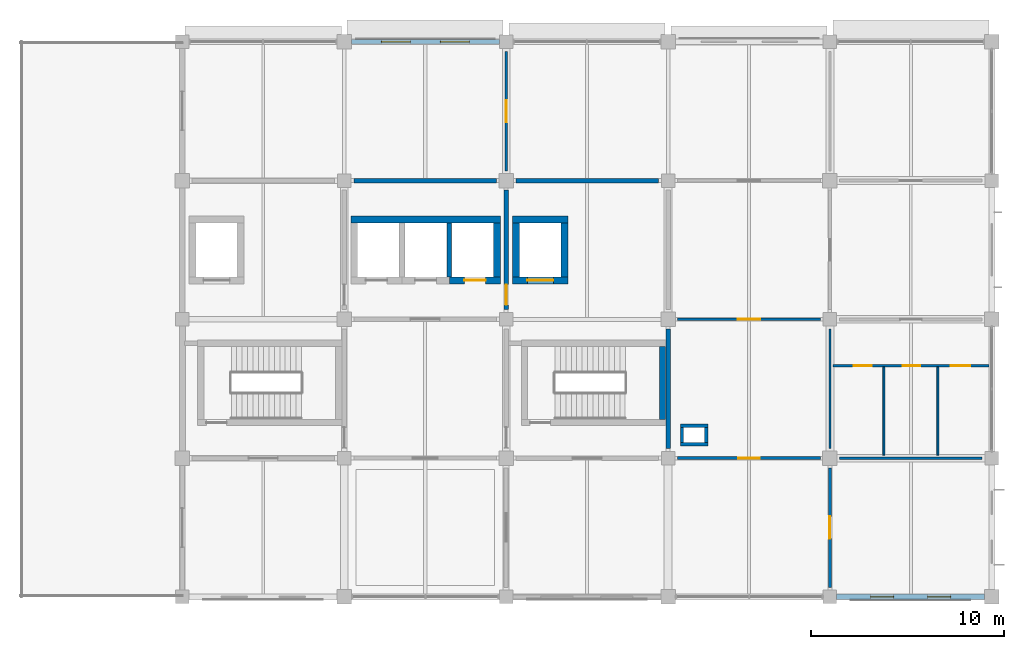
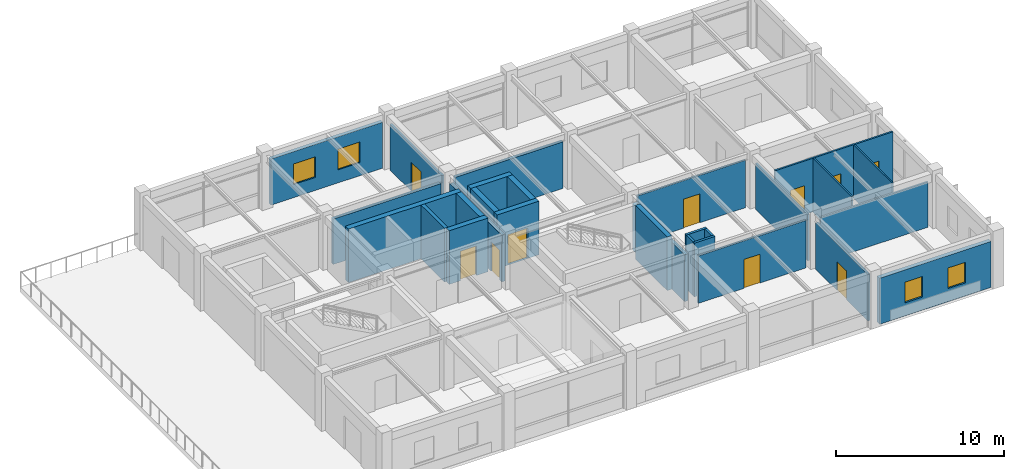
# One storey, part 7 of 10: 28 walls, 10 doors, 4 windows, 14 openings.
"""IFC4 building model written with IfcOpenShell, lengths in metres."""

from ifc_helpers import new_model, si_unit, derived_unit, direction, frame, frame_2d, origin, place, context, subcontext, project, spatial, rectangle, extrude, material, layer, layer_set, type_object, element, fill, save


model = new_model("IFC4")

# Units and contexts
model_context = context("Model", 3, precision=1e-05, world=origin(), true_north=direction((0.0, 1.0)))
body_context = subcontext(model_context, "Body", "Model", "MODEL_VIEW")
ifc_project = project(units=[si_unit("LENGTHUNIT", "METRE"), si_unit("AREAUNIT", "SQUARE_METRE"), si_unit("VOLUMEUNIT", "CUBIC_METRE"), si_unit("PLANEANGLEUNIT", "RADIAN"), si_unit("MASSUNIT", "GRAM", prefix="KILO"), derived_unit("THERMALTRANSMITTANCEUNIT", [(si_unit("MASSUNIT", "GRAM", prefix="KILO"), 1), (si_unit("TIMEUNIT", "SECOND"), -3), (si_unit("THERMODYNAMICTEMPERATUREUNIT", "KELVIN"), -1)])], contexts=[model_context])

# Site, building, storey
site_placement = place(None, origin())
site = spatial("IfcSite", under=ifc_project, at=site_placement, CompositionType="ELEMENT")
building_placement = place(site_placement, origin())
building = spatial("IfcBuilding", under=site, at=building_placement, Name="Veldstrom Oceanarium and Marine Research Institute", CompositionType="ELEMENT")
storey_placement = place(building_placement, frame((0.0, 0.0, 43.800048828125)))
storey = spatial("IfcBuildingStorey", under=building, at=storey_placement, Name="L09", CompositionType="ELEMENT", Elevation=43.800048828125)

# Wall, openings, windows
ifc_material_1 = material(Name="Masonry Cavity Wall", Category="masonry")
ifc_layer_1 = layer(ifc_material_1, 0.2900390625)
ifc_layer_set_1 = layer_set([ifc_layer_1], Name="ARC-WAL-EW2")
wall_type_1 = type_object("IfcWallType", Name="ARC-WAL-EW2", PredefinedType="SOLIDWALL", material=ifc_layer_set_1)
wall_1_placement = place(storey_placement, frame((109.550048828125, 43.199951171875, 0.0), z_axis=(0.0, 0.0, 1.0), x_axis=(1.0, 0.0, 0.0)))
wall_1 = element("IfcWall", 1, at=wall_1_placement, inside=storey, type_object=wall_type_1, Name="Exterior Facade Wall EW2 L09-220", PredefinedType="SOLIDWALL", context=body_context, shape_type="SweptSolid", body=[
    extrude(rectangle(XDim=7.675048828125, YDim=0.2900390625, at=frame_2d((3.83740234375, 0.0))), origin(), (0.0, 0.0, 1.0), 3.344970703125),
])
opening_1_placement = place(wall_1_placement, frame((1.75830078125, 0.0, 0.949951171875)))
opening_1 = element("IfcOpeningElement", 2, at=opening_1_placement, cuts=wall_1, Name="Opening W16", PredefinedType="OPENING", context=body_context, shape_type="SweptSolid", body=[
    extrude(rectangle(XDim=1.199951171875, YDim=1.5, at=frame_2d((0.60009765625, 0.75))), frame((0.0, 0.155029296875, 0.0), z_axis=(0.0, -1.0, 0.0), x_axis=(1.0, 0.0, 0.0)), (0.0, 0.0, 1.0), 0.31005859375),
])
opening_2_placement = place(wall_1_placement, frame((4.716796875, 0.0, 0.949951171875)))
opening_2 = element("IfcOpeningElement", 3, at=opening_2_placement, cuts=wall_1, Name="Opening W16", PredefinedType="OPENING", context=body_context, shape_type="SweptSolid", body=[
    extrude(rectangle(XDim=1.199951171875, YDim=1.5, at=frame_2d((0.60009765625, 0.75))), frame((0.0, 0.155029296875, 0.0), z_axis=(0.0, -1.0, 0.0), x_axis=(1.0, 0.0, 0.0)), (0.0, 0.0, 1.0), 0.31005859375),
])
ifc_material_2 = material(Name="Double Glazed Low-E IGU", Category="glass")
window_type_1 = type_object("IfcWindowType", Name="ARC-WIN-W16", PartitioningType="SINGLE_PANEL", PredefinedType="WINDOW", material=ifc_material_2)
window_1_placement = place(opening_1_placement, origin())
window_1 = element("IfcWindow", 4, at=window_1_placement, inside=storey, type_object=window_type_1, Name="Facade Window W16 L09-0195", OverallHeight=1.5, OverallWidth=1.199951171875, PartitioningType="SINGLE_PANEL", PredefinedType="WINDOW", context=body_context, shape_type="SweptSolid", body=[
    extrude(rectangle(XDim=1.199951171875, YDim=1.5, at=frame_2d((0.60009765625, 0.75))), frame((0.0, 0.030029296875, 0.0), z_axis=(0.0, -1.0, 0.0), x_axis=(1.0, 0.0, 0.0)), (0.0, 0.0, 1.0), 0.06005859375),
])
fill(opening_1, window_1)
window_2_placement = place(opening_2_placement, origin())
window_2 = element("IfcWindow", 5, at=window_2_placement, inside=storey, type_object=window_type_1, Name="Facade Window W16 L09-0196", OverallHeight=1.5, OverallWidth=1.199951171875, PartitioningType="SINGLE_PANEL", PredefinedType="WINDOW", context=body_context, shape_type="SweptSolid", body=[
    extrude(rectangle(XDim=1.199951171875, YDim=1.5, at=frame_2d((0.60009765625, 0.75))), frame((0.0, 0.030029296875, 0.0), z_axis=(0.0, -1.0, 0.0), x_axis=(1.0, 0.0, 0.0)), (0.0, 0.0, 1.0), 0.06005859375),
])
fill(opening_2, window_2)

ifc_material_3 = material(Name="Masonry Cavity Wall", Category="masonry")
ifc_layer_2 = layer(ifc_material_3, 0.25)
ifc_layer_set_2 = layer_set([ifc_layer_2], Name="ARC-WAL-EW5")
wall_type_2 = type_object("IfcWallType", Name="ARC-WAL-EW5", PredefinedType="SOLIDWALL", material=ifc_layer_set_2)
wall_2_placement = place(storey_placement, frame((84.375, 72.0, 0.0), z_axis=(0.0, 0.0, 1.0), x_axis=(1.0, 0.0, 0.0)))
wall_2 = element("IfcWall", 6, at=wall_2_placement, inside=storey, type_object=wall_type_2, Name="Exterior Facade Wall EW5 L09-217", PredefinedType="SOLIDWALL", context=body_context, shape_type="SweptSolid", body=[
    extrude(rectangle(XDim=7.675048828125, YDim=0.25, at=frame_2d((3.83740234375, 0.0))), origin(), (0.0, 0.0, 1.0), 3.344970703125),
])
opening_3_placement = place(wall_2_placement, frame((1.558349609375, 0.0, 0.949951171875)))
opening_3 = element("IfcOpeningElement", 7, at=opening_3_placement, cuts=wall_2, Name="Opening W15", PredefinedType="OPENING", context=body_context, shape_type="SweptSolid", body=[
    extrude(rectangle(XDim=1.5, YDim=1.5, at=frame_2d((0.75, 0.75))), frame((0.0, 0.135009765625, 0.0), z_axis=(0.0, -1.0, 0.0), x_axis=(1.0, 0.0, 0.0)), (0.0, 0.0, 1.0), 0.27001953125),
])
opening_4_placement = place(wall_2_placement, frame((4.61669921875, 0.0, 0.949951171875)))
opening_4 = element("IfcOpeningElement", 8, at=opening_4_placement, cuts=wall_2, Name="Opening W15", PredefinedType="OPENING", context=body_context, shape_type="SweptSolid", body=[
    extrude(rectangle(XDim=1.5, YDim=1.5, at=frame_2d((0.75, 0.75))), frame((0.0, 0.135009765625, 0.0), z_axis=(0.0, -1.0, 0.0), x_axis=(1.0, 0.0, 0.0)), (0.0, 0.0, 1.0), 0.27001953125),
])
ifc_material_4 = material(Name="Double Glazed Low-E IGU", Category="glass")
window_type_2 = type_object("IfcWindowType", Name="ARC-WIN-W15", PartitioningType="SINGLE_PANEL", PredefinedType="WINDOW", material=ifc_material_4)
window_3_placement = place(opening_3_placement, origin())
window_3 = element("IfcWindow", 9, at=window_3_placement, inside=storey, type_object=window_type_2, Name="Facade Window W15 L09-0189", OverallHeight=1.5, OverallWidth=1.5, PartitioningType="SINGLE_PANEL", PredefinedType="WINDOW", context=body_context, shape_type="SweptSolid", body=[
    extrude(rectangle(XDim=1.5, YDim=1.5, at=frame_2d((0.75, 0.75))), frame((0.0, 0.030029296875, 0.0), z_axis=(0.0, -1.0, 0.0), x_axis=(1.0, 0.0, 0.0)), (0.0, 0.0, 1.0), 0.06005859375),
])
fill(opening_3, window_3)
window_4_placement = place(opening_4_placement, origin())
window_4 = element("IfcWindow", 10, at=window_4_placement, inside=storey, type_object=window_type_2, Name="Facade Window W15 L09-0190", OverallHeight=1.5, OverallWidth=1.5, PartitioningType="SINGLE_PANEL", PredefinedType="WINDOW", context=body_context, shape_type="SweptSolid", body=[
    extrude(rectangle(XDim=1.5, YDim=1.5, at=frame_2d((0.75, 0.75))), frame((0.0, 0.030029296875, 0.0), z_axis=(0.0, -1.0, 0.0), x_axis=(1.0, 0.0, 0.0)), (0.0, 0.0, 1.0), 0.06005859375),
])
fill(opening_4, window_4)

# Wall, opening, door
ifc_material_5 = material(Name="Masonry Fire Compartment Wall", Category="masonry")
ifc_layer_3 = layer(ifc_material_5, 0.22998046875)
ifc_layer_set_3 = layer_set([ifc_layer_3], Name="ARC-WAL-PT1")
wall_type_3 = type_object("IfcWallType", Name="ARC-WAL-PT1", PredefinedType="PARTITIONING", material=ifc_layer_set_3)
wall_3_placement = place(storey_placement, frame((92.39990234375, 58.10009765625, 0.0), z_axis=(0.0, 0.0, 1.0), x_axis=(0.0, 1.0, 0.0)))
wall_3 = element("IfcWall", 11, at=wall_3_placement, inside=storey, type_object=wall_type_3, Name="Interior Partition PT1 L09-1614", PredefinedType="PARTITIONING", context=body_context, shape_type="SweptSolid", body=[
    extrude(rectangle(XDim=6.199951171875, YDim=0.22998046875, at=frame_2d((3.10009765625, 0.0))), origin(), (0.0, 0.0, 1.0), 3.39501953125),
])
opening_5_placement = place(wall_3_placement, frame((0.25, 0.0, 0.0)))
opening_5 = element("IfcOpeningElement", 12, at=opening_5_placement, cuts=wall_3, Name="Opening D-L09-984", PredefinedType="OPENING", context=body_context, shape_type="SweptSolid", body=[
    extrude(rectangle(XDim=1.050048828125, YDim=2.14990234375, at=frame_2d((0.52490234375, 1.074951171875))), frame((0.0, 0.125, 0.0), z_axis=(0.0, -1.0, 0.0), x_axis=(1.0, 0.0, 0.0)), (0.0, 0.0, 1.0), 0.25),
])
ifc_material_6 = material(Name="Painted Steel Fire Door", Category="steel")
door_type_1 = type_object("IfcDoorType", Name="ARC-DOR-SD1", OperationType="SINGLE_SWING_LEFT", PredefinedType="DOOR", material=ifc_material_6)
door_1_placement = place(opening_5_placement, origin())
door_1 = element("IfcDoor", 13, at=door_1_placement, inside=storey, type_object=door_type_1, Name="Interior Door D-L09-984", OperationType="SINGLE_SWING_LEFT", OverallHeight=2.14990234375, OverallWidth=1.050048828125, PredefinedType="DOOR", context=body_context, shape_type="SweptSolid", body=[
    extrude(rectangle(XDim=1.050048828125, YDim=2.14990234375, at=frame_2d((0.52490234375, 1.074951171875))), frame((0.0, 0.02490234375, 0.0), z_axis=(0.0, -1.0, 0.0), x_axis=(1.0, 0.0, 0.0)), (0.0, 0.0, 1.0), 0.050048828125),
])
fill(opening_5, door_1)

# Walls
wall_4_placement = place(storey_placement, frame((84.5, 64.800048828125, 0.0), z_axis=(0.0, 0.0, 1.0), x_axis=(1.0, 0.0, 0.0)))
element("IfcWall", 14, at=wall_4_placement, inside=storey, type_object=wall_type_3, Name="Interior Partition PT1 L09-1615", PredefinedType="PARTITIONING", context=body_context, shape_type="SweptSolid", body=[
    extrude(rectangle(XDim=7.39990234375, YDim=0.22998046875, at=frame_2d((3.699951171875, 0.0))), origin(), (0.0, 0.0, 1.0), 3.294921875),
])
wall_5_placement = place(storey_placement, frame((100.800048828125, 50.89990234375, 0.0), z_axis=(0.0, 0.0, 1.0), x_axis=(0.0, 1.0, 0.0)))
element("IfcWall", 15, at=wall_5_placement, inside=storey, type_object=wall_type_3, Name="Interior Partition PT1 L09-1618", PredefinedType="PARTITIONING", context=body_context, shape_type="SweptSolid", body=[
    extrude(rectangle(XDim=6.2001953125, YDim=0.22998046875, at=frame_2d((3.10009765625, 0.0))), origin(), (0.0, 0.0, 1.0), 3.39501953125),
])
wall_6_placement = place(storey_placement, frame((92.89990234375, 64.800048828125, 0.0), z_axis=(0.0, 0.0, 1.0), x_axis=(1.0, 0.0, 0.0)))
element("IfcWall", 16, at=wall_6_placement, inside=storey, type_object=wall_type_3, Name="Interior Partition PT1 L09-1621", PredefinedType="PARTITIONING", context=body_context, shape_type="SweptSolid", body=[
    extrude(rectangle(XDim=7.400146484375, YDim=0.22998046875, at=frame_2d((3.7001953125, 0.0))), origin(), (0.0, 0.0, 1.0), 3.39501953125),
])

# Wall, opening, door
ifc_material_7 = material(Name="Drywall Corridor Partition", Category="gypsum")
ifc_layer_4 = layer(ifc_material_7, 0.155029296875)
ifc_layer_set_4 = layer_set([ifc_layer_4], Name="ARC-WAL-PT4")
wall_type_4 = type_object("IfcWallType", Name="ARC-WAL-PT4", PredefinedType="PARTITIONING", material=ifc_layer_set_4)
wall_7_placement = place(storey_placement, frame((109.199951171875, 43.699951171875, 0.0), z_axis=(0.0, 0.0, 1.0), x_axis=(0.0, 1.0, 0.0)))
wall_7 = element("IfcWall", 17, at=wall_7_placement, inside=storey, type_object=wall_type_4, Name="Interior Partition PT4 L09-1622", PredefinedType="PARTITIONING", context=body_context, shape_type="SweptSolid", body=[
    extrude(rectangle(XDim=6.199951171875, YDim=0.155029296875, at=frame_2d((3.10009765625, 0.0))), origin(), (0.0, 0.0, 1.0), 3.39501953125),
])
opening_6_placement = place(wall_7_placement, frame((2.52490234375, 0.0, 0.0)))
opening_6 = element("IfcOpeningElement", 18, at=opening_6_placement, cuts=wall_7, Name="Opening D-L09-987", PredefinedType="OPENING", context=body_context, shape_type="SweptSolid", body=[
    extrude(rectangle(XDim=1.14990234375, YDim=2.10009765625, at=frame_2d((0.574951171875, 1.050048828125))), frame((0.0, 0.08740234375, 0.0), z_axis=(0.0, -1.0, 0.0), x_axis=(1.0, 0.0, 0.0)), (0.0, 0.0, 1.0), 0.175048828125),
])
ifc_material_8 = material(Name="Fellows Studio Door", Category="timber")
door_type_2 = type_object("IfcDoorType", Name="ARC-DOR-ID17", OperationType="SINGLE_SWING_LEFT", PredefinedType="DOOR", material=ifc_material_8)
door_2_placement = place(opening_6_placement, origin())
door_2 = element("IfcDoor", 19, at=door_2_placement, inside=storey, type_object=door_type_2, Name="Interior Door D-L09-987", OperationType="SINGLE_SWING_RIGHT", OverallHeight=2.10009765625, OverallWidth=1.14990234375, PredefinedType="DOOR", context=body_context, shape_type="SweptSolid", body=[
    extrude(rectangle(XDim=1.14990234375, YDim=2.10009765625, at=frame_2d((0.574951171875, 1.050048828125))), frame((0.0, 0.02490234375, 0.0), z_axis=(0.0, -1.0, 0.0), x_axis=(1.0, 0.0, 0.0)), (0.0, 0.0, 1.0), 0.050048828125),
])
fill(opening_6, door_2)

wall_8_placement = place(storey_placement, frame((101.300048828125, 50.39990234375, 0.0), z_axis=(0.0, 0.0, 1.0), x_axis=(1.0, 0.0, 0.0)))
wall_8 = element("IfcWall", 20, at=wall_8_placement, inside=storey, type_object=wall_type_4, Name="Interior Partition PT4 L09-1623", PredefinedType="PARTITIONING", context=body_context, shape_type="SweptSolid", body=[
    extrude(rectangle(XDim=7.39990234375, YDim=0.155029296875, at=frame_2d((3.699951171875, 0.0))), origin(), (0.0, 0.0, 1.0), 3.445068359375),
])
opening_7_placement = place(wall_8_placement, frame((3.14990234375, 0.0, 0.0)))
opening_7 = element("IfcOpeningElement", 21, at=opening_7_placement, cuts=wall_8, Name="Opening D-L09-988", PredefinedType="OPENING", context=body_context, shape_type="SweptSolid", body=[
    extrude(rectangle(XDim=1.10009765625, YDim=2.10009765625, at=frame_2d((0.550048828125, 1.050048828125))), frame((0.0, 0.08740234375, 0.0), z_axis=(0.0, -1.0, 0.0), x_axis=(1.0, 0.0, 0.0)), (0.0, 0.0, 1.0), 0.175048828125),
])
ifc_material_9 = material(Name="Research Office Door", Category="timber")
door_type_3 = type_object("IfcDoorType", Name="ARC-DOR-ID07", OperationType="SINGLE_SWING_LEFT", PredefinedType="DOOR", material=ifc_material_9)
door_3_placement = place(opening_7_placement, frame((1.10009765625, 0.0, 0.0), z_axis=(0.0, 0.0, 1.0), x_axis=(-1.0, 0.0, 0.0)))
door_3 = element("IfcDoor", 22, at=door_3_placement, inside=storey, type_object=door_type_3, Name="Interior Door D-L09-988", OperationType="SINGLE_SWING_LEFT", OverallHeight=2.10009765625, OverallWidth=1.10009765625, PredefinedType="DOOR", context=body_context, shape_type="SweptSolid", body=[
    extrude(rectangle(XDim=1.10009765625, YDim=2.10009765625, at=frame_2d((0.550048828125, 1.050048828125))), frame((0.0, 0.02490234375, 0.0), z_axis=(0.0, -1.0, 0.0), x_axis=(1.0, 0.0, 0.0)), (0.0, 0.0, 1.0), 0.050048828125),
])
fill(opening_7, door_3)

ifc_material_10 = material(Name="Moisture-Resistant Wet-Area Partition", Category="masonry")
ifc_layer_5 = layer(ifc_material_10, 0.139892578125)
ifc_layer_set_5 = layer_set([ifc_layer_5], Name="ARC-WAL-PT5")
wall_type_5 = type_object("IfcWallType", Name="ARC-WAL-PT5", PredefinedType="PARTITIONING", material=ifc_layer_set_5)
wall_9_placement = place(storey_placement, frame((92.39990234375, 65.300048828125, 0.0), z_axis=(0.0, 0.0, 1.0), x_axis=(0.0, 1.0, 0.0)))
wall_9 = element("IfcWall", 23, at=wall_9_placement, inside=storey, type_object=wall_type_5, Name="Interior Partition PT5 L09-1616", PredefinedType="PARTITIONING", context=body_context, shape_type="SweptSolid", body=[
    extrude(rectangle(XDim=6.199951171875, YDim=0.139892578125, at=frame_2d((3.10009765625, 0.0))), origin(), (0.0, 0.0, 1.0), 3.344970703125),
])
opening_8_placement = place(wall_9_placement, frame((2.52490234375, 0.0, 0.0)))
opening_8 = element("IfcOpeningElement", 24, at=opening_8_placement, cuts=wall_9, Name="Opening D-L09-985", PredefinedType="OPENING", context=body_context, shape_type="SweptSolid", body=[
    extrude(rectangle(XDim=1.14990234375, YDim=2.10009765625, at=frame_2d((0.574951171875, 1.050048828125))), frame((0.0, 0.079833984375, 0.0), z_axis=(0.0, -1.0, 0.0), x_axis=(1.0, 0.0, 0.0)), (0.0, 0.0, 1.0), 0.159912109375),
])
door_4_placement = place(opening_8_placement, frame((1.14990234375, 0.0, 0.0), z_axis=(0.0, 0.0, 1.0), x_axis=(-1.0, 0.0, 0.0)))
door_4 = element("IfcDoor", 25, at=door_4_placement, inside=storey, type_object=door_type_2, Name="Interior Door D-L09-985", OperationType="SINGLE_SWING_RIGHT", OverallHeight=2.10009765625, OverallWidth=1.14990234375, PredefinedType="DOOR", context=body_context, shape_type="SweptSolid", body=[
    extrude(rectangle(XDim=1.14990234375, YDim=2.10009765625, at=frame_2d((0.574951171875, 1.050048828125))), frame((0.0, 0.02490234375, 0.0), z_axis=(0.0, -1.0, 0.0), x_axis=(1.0, 0.0, 0.0)), (0.0, 0.0, 1.0), 0.050048828125),
])
fill(opening_8, door_4)

wall_10_placement = place(storey_placement, frame((101.300048828125, 57.60009765625, 0.0), z_axis=(0.0, 0.0, 1.0), x_axis=(1.0, 0.0, 0.0)))
wall_10 = element("IfcWall", 26, at=wall_10_placement, inside=storey, type_object=wall_type_5, Name="Interior Partition PT5 L09-1625", PredefinedType="PARTITIONING", context=body_context, shape_type="SweptSolid", body=[
    extrude(rectangle(XDim=7.39990234375, YDim=0.139892578125, at=frame_2d((3.699951171875, 0.0))), origin(), (0.0, 0.0, 1.0), 3.445068359375),
])
opening_9_placement = place(wall_10_placement, frame((3.125, 0.0, 0.0)))
opening_9 = element("IfcOpeningElement", 27, at=opening_9_placement, cuts=wall_10, Name="Opening D-L09-989", PredefinedType="OPENING", context=body_context, shape_type="SweptSolid", body=[
    extrude(rectangle(XDim=1.14990234375, YDim=2.10009765625, at=frame_2d((0.574951171875, 1.050048828125))), frame((0.0, 0.079833984375, 0.0), z_axis=(0.0, -1.0, 0.0), x_axis=(1.0, 0.0, 0.0)), (0.0, 0.0, 1.0), 0.159912109375),
])
door_5_placement = place(opening_9_placement, origin())
door_5 = element("IfcDoor", 28, at=door_5_placement, inside=storey, type_object=door_type_2, Name="Interior Door D-L09-989", OperationType="SINGLE_SWING_LEFT", OverallHeight=2.10009765625, OverallWidth=1.14990234375, PredefinedType="DOOR", context=body_context, shape_type="SweptSolid", body=[
    extrude(rectangle(XDim=1.14990234375, YDim=2.10009765625, at=frame_2d((0.574951171875, 1.050048828125))), frame((0.0, 0.02490234375, 0.0), z_axis=(0.0, -1.0, 0.0), x_axis=(1.0, 0.0, 0.0)), (0.0, 0.0, 1.0), 0.050048828125),
])
fill(opening_9, door_5)

# Wall, openings, doors
ifc_material_11 = material(Name="Lightweight Studio Partition", Category="gypsum")
ifc_layer_6 = layer(ifc_material_11, 0.1201171875)
ifc_layer_set_6 = layer_set([ifc_layer_6], Name="ARC-WAL-PT6")
wall_type_6 = type_object("IfcWallType", Name="ARC-WAL-PT6", PredefinedType="PARTITIONING", material=ifc_layer_set_6)
wall_11_placement = place(storey_placement, frame((109.35009765625, 55.199951171875, 0.0), z_axis=(0.0, 0.0, 1.0), x_axis=(1.0, 0.0, 0.0)))
wall_11 = element("IfcWall", 29, at=wall_11_placement, inside=storey, type_object=wall_type_6, Name="Sanitary Vestibule Partition L09-13", PredefinedType="PARTITIONING", context=body_context, shape_type="SweptSolid", body=[
    extrude(rectangle(XDim=8.099853515625, YDim=0.1201171875, at=frame_2d((4.0498046875, 0.0))), origin(), (0.0, 0.0, 1.0), 3.89990234375),
])
opening_10_placement = place(wall_11_placement, frame((1.080078125, 0.0, 0.0)))
opening_10 = element("IfcOpeningElement", 30, at=opening_10_placement, cuts=wall_11, Name="Opening D-L09-WC974", PredefinedType="OPENING", context=body_context, shape_type="SweptSolid", body=[
    extrude(rectangle(XDim=0.949951171875, YDim=2.10009765625, at=frame_2d((0.47509765625, 1.050048828125))), frame((0.0, 0.070068359375, 0.0), z_axis=(0.0, -1.0, 0.0), x_axis=(1.0, 0.0, 0.0)), (0.0, 0.0, 1.0), 0.14013671875),
])
opening_11_placement = place(wall_11_placement, frame((3.6298828125, 0.0, 0.0)))
opening_11 = element("IfcOpeningElement", 31, at=opening_11_placement, cuts=wall_11, Name="Opening D-L09-WC975", PredefinedType="OPENING", context=body_context, shape_type="SweptSolid", body=[
    extrude(rectangle(XDim=0.89990234375, YDim=2.10009765625, at=frame_2d((0.449951171875, 1.050048828125))), frame((0.0, 0.070068359375, 0.0), z_axis=(0.0, -1.0, 0.0), x_axis=(1.0, 0.0, 0.0)), (0.0, 0.0, 1.0), 0.14013671875),
])
opening_12_placement = place(wall_11_placement, frame((6.1298828125, 0.0, 0.0)))
opening_12 = element("IfcOpeningElement", 32, at=opening_12_placement, cuts=wall_11, Name="Opening D-L09-WC976", PredefinedType="OPENING", context=body_context, shape_type="SweptSolid", body=[
    extrude(rectangle(XDim=1.0, YDim=2.10009765625, at=frame_2d((0.5, 1.050048828125))), frame((0.0, 0.070068359375, 0.0), z_axis=(0.0, -1.0, 0.0), x_axis=(1.0, 0.0, 0.0)), (0.0, 0.0, 1.0), 0.14013671875),
])
ifc_material_12 = material(Name="Accessible Sanitary Door", Category="timber")
door_type_4 = type_object("IfcDoorType", Name="ARC-DOR-ID08", OperationType="SINGLE_SWING_RIGHT", PredefinedType="DOOR", material=ifc_material_12)
door_6_placement = place(opening_12_placement, frame((1.0, 0.0, 0.0), z_axis=(0.0, 0.0, 1.0), x_axis=(-1.0, 0.0, 0.0)))
door_6 = element("IfcDoor", 33, at=door_6_placement, inside=storey, type_object=door_type_4, Name="Accessible WC Door D-L09-WC976", OperationType="SINGLE_SWING_RIGHT", OverallHeight=2.10009765625, OverallWidth=1.0, PredefinedType="DOOR", context=body_context, shape_type="SweptSolid", body=[
    extrude(rectangle(XDim=1.0, YDim=2.10009765625, at=frame_2d((0.5, 1.050048828125))), frame((0.0, 0.02490234375, 0.0), z_axis=(0.0, -1.0, 0.0), x_axis=(1.0, 0.0, 0.0)), (0.0, 0.0, 1.0), 0.050048828125),
])
fill(opening_12, door_6)
ifc_material_13 = material(Name="Staff Sanitary Door", Category="timber")
door_type_5 = type_object("IfcDoorType", Name="ARC-DOR-ID09", OperationType="SINGLE_SWING_LEFT", PredefinedType="DOOR", material=ifc_material_13)
door_7_placement = place(opening_10_placement, frame((0.949951171875, 0.0, 0.0), z_axis=(0.0, 0.0, 1.0), x_axis=(-1.0, 0.0, 0.0)))
door_7 = element("IfcDoor", 34, at=door_7_placement, inside=storey, type_object=door_type_5, Name="Male WC Door D-L09-WC974", OperationType="SINGLE_SWING_RIGHT", OverallHeight=2.10009765625, OverallWidth=0.949951171875, PredefinedType="DOOR", context=body_context, shape_type="SweptSolid", body=[
    extrude(rectangle(XDim=0.949951171875, YDim=2.10009765625, at=frame_2d((0.47509765625, 1.050048828125))), frame((0.0, 0.02490234375, 0.0), z_axis=(0.0, -1.0, 0.0), x_axis=(1.0, 0.0, 0.0)), (0.0, 0.0, 1.0), 0.050048828125),
])
fill(opening_10, door_7)
ifc_material_14 = material(Name="Internal Sanitary Door", Category="timber")
door_type_6 = type_object("IfcDoorType", Name="ARC-DOR-ID10", OperationType="SINGLE_SWING_RIGHT", PredefinedType="DOOR", material=ifc_material_14)
door_8_placement = place(opening_11_placement, frame((0.89990234375, 0.0, 0.0), z_axis=(0.0, 0.0, 1.0), x_axis=(-1.0, 0.0, 0.0)))
door_8 = element("IfcDoor", 35, at=door_8_placement, inside=storey, type_object=door_type_6, Name="Female WC Door D-L09-WC975", OperationType="SINGLE_SWING_LEFT", OverallHeight=2.10009765625, OverallWidth=0.89990234375, PredefinedType="DOOR", context=body_context, shape_type="SweptSolid", body=[
    extrude(rectangle(XDim=0.89990234375, YDim=2.10009765625, at=frame_2d((0.449951171875, 1.050048828125))), frame((0.0, 0.02490234375, 0.0), z_axis=(0.0, -1.0, 0.0), x_axis=(1.0, 0.0, 0.0)), (0.0, 0.0, 1.0), 0.050048828125),
])
fill(opening_11, door_8)

# Walls
wall_12_placement = place(storey_placement, frame((109.199951171875, 50.89990234375, 0.0), z_axis=(0.0, 0.0, 1.0), x_axis=(0.0, 1.0, 0.0)))
element("IfcWall", 36, at=wall_12_placement, inside=storey, type_object=wall_type_6, Name="Interior Partition PT6 L09-1624", PredefinedType="PARTITIONING", context=body_context, shape_type="SweptSolid", body=[
    extrude(rectangle(XDim=6.2001953125, YDim=0.1201171875, at=frame_2d((3.10009765625, 0.0))), origin(), (0.0, 0.0, 1.0), 3.344970703125),
])
wall_13_placement = place(storey_placement, frame((109.699951171875, 50.39990234375, 0.0), z_axis=(0.0, 0.0, 1.0), x_axis=(1.0, 0.0, 0.0)))
element("IfcWall", 37, at=wall_13_placement, inside=storey, type_object=wall_type_6, Name="Interior Partition PT6 L09-1629", PredefinedType="PARTITIONING", context=body_context, shape_type="SweptSolid", body=[
    extrude(rectangle(XDim=7.400146484375, YDim=0.1201171875, at=frame_2d((3.7001953125, 0.0))), origin(), (0.0, 0.0, 1.0), 3.294921875),
])
ifc_material_15 = material(Name="Sanitary Cubicle Partition", Category="gypsum")
ifc_layer_7 = layer(ifc_material_15, 0.10009765625)
ifc_layer_set_7 = layer_set([ifc_layer_7], Name="ARC-WAL-PT7")
wall_type_7 = type_object("IfcWallType", Name="ARC-WAL-PT7", PredefinedType="PARTITIONING", material=ifc_layer_set_7)
for number, where, z_axis, x_axis, name in (
    (38, (112.0, 50.550048828125, 0.0), (0.0, 0.0, 1.0), (0.0, 1.0, 0.0), "Sanitary Stall Divider Wall L09-1603"),
    (39, (114.800048828125, 50.550048828125, 0.0), (0.0, 0.0, 1.0), (0.0, 1.0, 0.0), "Sanitary Stall Divider Wall L09-1604"),
):
    element("IfcWall", number, at=place(storey_placement, frame(where, z_axis=z_axis, x_axis=x_axis)), inside=storey, type_object=wall_type_7, Name=name, PredefinedType="PARTITIONING", context=body_context, shape_type="SweptSolid", body=[
        extrude(rectangle(XDim=4.58984375, YDim=0.10009765625, at=frame_2d((2.294921875, 0.0))), origin(), (0.0, 0.0, 1.0), 3.89990234375),
    ])
ifc_material_16 = material(Name="Service Riser Fire Shaft Wall", Category="masonry")
ifc_layer_8 = layer(ifc_material_16, 0.1650390625)
ifc_layer_set_8 = layer_set([ifc_layer_8], Name="ARC-WAL-PT9")
wall_type_8 = type_object("IfcWallType", Name="ARC-WAL-PT9", PredefinedType="PARTITIONING", material=ifc_layer_set_8)
for number, where, z_axis, x_axis, name in (
    (40, (101.43505859375, 51.117431640625, 0.0), (0.0, 0.0, 1.0), (1.0, 0.0, 0.0), "Service Riser Fire Shaft Wall L09-CE-S"),
    (41, (101.43505859375, 52.08251953125, 0.0), (0.0, 0.0, 1.0), (1.0, 0.0, 0.0), "Service Riser Fire Shaft Wall L09-CE-N"),
):
    element("IfcWall", number, at=place(storey_placement, frame(where, z_axis=z_axis, x_axis=x_axis)), inside=storey, type_object=wall_type_8, Name=name, PredefinedType="PARTITIONING", context=body_context, shape_type="SweptSolid", body=[
        extrude(rectangle(XDim=1.429931640625, YDim=0.1650390625, at=frame_2d((0.71484375, 0.0))), origin(), (0.0, 0.0, 1.0), 3.89990234375),
    ])
for number, where, z_axis, x_axis, name in (
    (42, (101.517578125, 51.199951171875, 0.0), (0.0, 0.0, 1.0), (0.0, 1.0, 0.0), "Service Riser Fire Shaft Wall L09-CE-W"),
    (43, (102.782470703125, 51.199951171875, 0.0), (0.0, 0.0, 1.0), (0.0, 1.0, 0.0), "Service Riser Fire Shaft Wall L09-CE-E"),
):
    element("IfcWall", number, at=place(storey_placement, frame(where, z_axis=z_axis, x_axis=x_axis)), inside=storey, type_object=wall_type_8, Name=name, PredefinedType="PARTITIONING", context=body_context, shape_type="SweptSolid", body=[
        extrude(rectangle(XDim=0.800048828125, YDim=0.1650390625, at=frame_2d((0.39990234375, 0.0))), origin(), (0.0, 0.0, 1.0), 3.89990234375),
    ])
ifc_material_17 = material(Name="Concrete C40/50", Category="concrete")
ifc_layer_9 = layer(ifc_material_17, 0.360107421875)
ifc_layer_set_9 = layer_set([ifc_layer_9], Name="STR-WAL-WC2")
wall_type_9 = type_object("IfcWallType", Name="STR-WAL-WC2", PredefinedType="SHEAR", material=ifc_layer_set_9)
wall_14_placement = place(storey_placement, frame((84.340087890625, 62.780029296875, 0.0), z_axis=(0.0, 0.0, 1.0), x_axis=(1.0, 0.0, 0.0)))
element("IfcWall", 44, at=wall_14_placement, inside=storey, type_object=wall_type_9, Name="Lift Shaft Shear Wall N L09 10/8", PredefinedType="SHEAR", context=body_context, shape_type="SweptSolid", body=[
    extrude(rectangle(XDim=7.77001953125, YDim=0.360107421875, at=frame_2d((3.885009765625, 0.0))), origin(), (0.0, 0.0, 1.0), 3.89990234375),
])

# Wall, opening, door
wall_15_placement = place(storey_placement, frame((89.449951171875, 59.6201171875, 0.0), z_axis=(0.0, 0.0, 1.0), x_axis=(1.0, 0.0, 0.0)))
wall_15 = element("IfcWall", 45, at=wall_15_placement, inside=storey, type_object=wall_type_9, Name="Lift Shaft Front Shear Wall LP3 L09", PredefinedType="SHEAR", context=body_context, shape_type="SweptSolid", body=[
    extrude(rectangle(XDim=2.66015625, YDim=0.360107421875, at=frame_2d((1.330078125, 0.0))), origin(), (0.0, 0.0, 1.0), 3.89990234375),
])
opening_13_placement = place(wall_15_placement, frame((0.780029296875, 0.0, 0.0)))
opening_13 = element("IfcOpeningElement", 46, at=opening_13_placement, cuts=wall_15, Name="Opening LD-LP3-L09", PredefinedType="OPENING", context=body_context, shape_type="SweptSolid", body=[
    extrude(rectangle(XDim=1.10009765625, YDim=2.14990234375, at=frame_2d((0.550048828125, 1.074951171875))), frame((0.0, 0.18994140625, 0.0), z_axis=(0.0, -1.0, 0.0), x_axis=(1.0, 0.0, 0.0)), (0.0, 0.0, 1.0), 0.380126953125),
])
ifc_material_18 = material(Name="Stainless Steel Lift Landing Door", Category="steel")
door_type_7 = type_object("IfcDoorType", Name="ARC-DOR-LD1", OperationType="DOUBLE_DOOR_SLIDING", PredefinedType="DOOR", material=ifc_material_18)
door_9_placement = place(opening_13_placement, origin())
door_9 = element("IfcDoor", 47, at=door_9_placement, inside=storey, type_object=door_type_7, Name="Lift Landing Door LD-LP3-L09", OperationType="DOUBLE_DOOR_SLIDING", OverallHeight=2.14990234375, OverallWidth=1.10009765625, PredefinedType="DOOR", context=body_context, shape_type="SweptSolid", body=[
    extrude(rectangle(XDim=1.10009765625, YDim=2.14990234375, at=frame_2d((0.550048828125, 1.074951171875))), frame((0.0, 0.02490234375, 0.0), z_axis=(0.0, -1.0, 0.0), x_axis=(1.0, 0.0, 0.0)), (0.0, 0.0, 1.0), 0.050048828125),
])
fill(opening_13, door_9)

# Walls
wall_16_placement = place(storey_placement, frame((91.929931640625, 59.800048828125, 0.0), z_axis=(0.0, 0.0, 1.0), x_axis=(0.0, 1.0, 0.0)))
element("IfcWall", 48, at=wall_16_placement, inside=storey, type_object=wall_type_9, Name="Lift Shaft Shear Wall E L09 10/8", PredefinedType="SHEAR", context=body_context, shape_type="SweptSolid", body=[
    extrude(rectangle(XDim=2.800048828125, YDim=0.360107421875, at=frame_2d((1.39990234375, 0.0))), origin(), (0.0, 0.0, 1.0), 3.89990234375),
])
wall_17_placement = place(storey_placement, frame((92.739990234375, 62.780029296875, 0.0), z_axis=(0.0, 0.0, 1.0), x_axis=(1.0, 0.0, 0.0)))
element("IfcWall", 49, at=wall_17_placement, inside=storey, type_object=wall_type_9, Name="Lift Shaft Shear Wall N L09 11/8", PredefinedType="SHEAR", context=body_context, shape_type="SweptSolid", body=[
    extrude(rectangle(XDim=2.8701171875, YDim=0.360107421875, at=frame_2d((1.43505859375, 0.0))), origin(), (0.0, 0.0, 1.0), 3.89990234375),
])

# Wall, opening, door
wall_18_placement = place(storey_placement, frame((92.739990234375, 59.6201171875, 0.0), z_axis=(0.0, 0.0, 1.0), x_axis=(1.0, 0.0, 0.0)))
wall_18 = element("IfcWall", 50, at=wall_18_placement, inside=storey, type_object=wall_type_9, Name="Lift Shaft Front Shear Wall LF2 L09", PredefinedType="SHEAR", context=body_context, shape_type="SweptSolid", body=[
    extrude(rectangle(XDim=2.8701171875, YDim=0.360107421875, at=frame_2d((1.43505859375, 0.0))), origin(), (0.0, 0.0, 1.0), 3.89990234375),
])
opening_14_placement = place(wall_18_placement, frame((0.760009765625, 0.0, 0.0)))
opening_14 = element("IfcOpeningElement", 51, at=opening_14_placement, cuts=wall_18, Name="Opening LD-LF2-L09", PredefinedType="OPENING", context=body_context, shape_type="SweptSolid", body=[
    extrude(rectangle(XDim=1.35009765625, YDim=2.199951171875, at=frame_2d((0.675048828125, 1.10009765625))), frame((0.0, 0.18994140625, 0.0), z_axis=(0.0, -1.0, 0.0), x_axis=(1.0, 0.0, 0.0)), (0.0, 0.0, 1.0), 0.380126953125),
])
ifc_material_19 = material(Name="Stainless Steel Lift Landing Door", Category="steel")
door_type_8 = type_object("IfcDoorType", Name="ARC-DOR-LD3", OperationType="DOUBLE_DOOR_SLIDING", PredefinedType="DOOR", material=ifc_material_19)
door_10_placement = place(opening_14_placement, origin())
door_10 = element("IfcDoor", 52, at=door_10_placement, inside=storey, type_object=door_type_8, Name="Lift Landing Door LD-LF2-L09", OperationType="DOUBLE_DOOR_SLIDING", OverallHeight=2.199951171875, OverallWidth=1.35009765625, PredefinedType="DOOR", context=body_context, shape_type="SweptSolid", body=[
    extrude(rectangle(XDim=1.35009765625, YDim=2.199951171875, at=frame_2d((0.675048828125, 1.10009765625))), frame((0.0, 0.02490234375, 0.0), z_axis=(0.0, -1.0, 0.0), x_axis=(1.0, 0.0, 0.0)), (0.0, 0.0, 1.0), 0.050048828125),
])
fill(opening_14, door_10)

# Walls
for number, where, z_axis, x_axis, name in (
    (53, (92.919921875, 59.800048828125, 0.0), (0.0, 0.0, 1.0), (0.0, 1.0, 0.0), "Lift Shaft Shear Wall W L09 11/8"),
    (54, (95.429931640625, 59.800048828125, 0.0), (0.0, 0.0, 1.0), (0.0, 1.0, 0.0), "Lift Shaft Shear Wall E L09 11/8"),
):
    element("IfcWall", number, at=place(storey_placement, frame(where, z_axis=z_axis, x_axis=x_axis)), inside=storey, type_object=wall_type_9, Name=name, PredefinedType="SHEAR", context=body_context, shape_type="SweptSolid", body=[
        extrude(rectangle(XDim=2.800048828125, YDim=0.360107421875, at=frame_2d((1.39990234375, 0.0))), origin(), (0.0, 0.0, 1.0), 3.89990234375),
    ])
ifc_material_20 = material(Name="Concrete C40/50", Category="concrete")
ifc_layer_10 = layer(ifc_material_20, 0.320068359375)
ifc_layer_set_10 = layer_set([ifc_layer_10], Name="STR-WAL-WC3")
wall_type_10 = type_object("IfcWallType", Name="STR-WAL-WC3", PredefinedType="SHEAR", material=ifc_layer_set_10)
wall_19_placement = place(storey_placement, frame((100.52001953125, 52.39990234375, 0.0), z_axis=(0.0, 0.0, 1.0), x_axis=(0.0, 1.0, 0.0)))
element("IfcWall", 55, at=wall_19_placement, inside=storey, type_object=wall_type_10, Name="Stair Core Shear Wall SC2-L09-E", PredefinedType="SHEAR", context=body_context, shape_type="SweptSolid", body=[
    extrude(rectangle(XDim=3.800048828125, YDim=0.320068359375, at=frame_2d((1.89990234375, 0.0))), origin(), (0.0, 0.0, 1.0), 3.89990234375),
])
ifc_material_21 = material(Name="Concrete C40/50", Category="concrete")
ifc_layer_11 = layer(ifc_material_21, 0.239990234375)
ifc_layer_set_11 = layer_set([ifc_layer_11], Name="STR-WAL-WC4")
wall_type_11 = type_object("IfcWallType", Name="STR-WAL-WC4", PredefinedType="SHEAR", material=ifc_layer_set_11)
wall_20_placement = place(storey_placement, frame((89.449951171875, 59.800048828125, 0.0), z_axis=(0.0, 0.0, 1.0), x_axis=(0.0, 1.0, 0.0)))
element("IfcWall", 56, at=wall_20_placement, inside=storey, type_object=wall_type_11, Name="Lift Shaft Divider Wall L09 10/8-2", PredefinedType="SHEAR", context=body_context, shape_type="SweptSolid", body=[
    extrude(rectangle(XDim=2.800048828125, YDim=0.239990234375, at=frame_2d((1.39990234375, 0.0))), origin(), (0.0, 0.0, 1.0), 3.89990234375),
])

save(model, "model.ifc")
